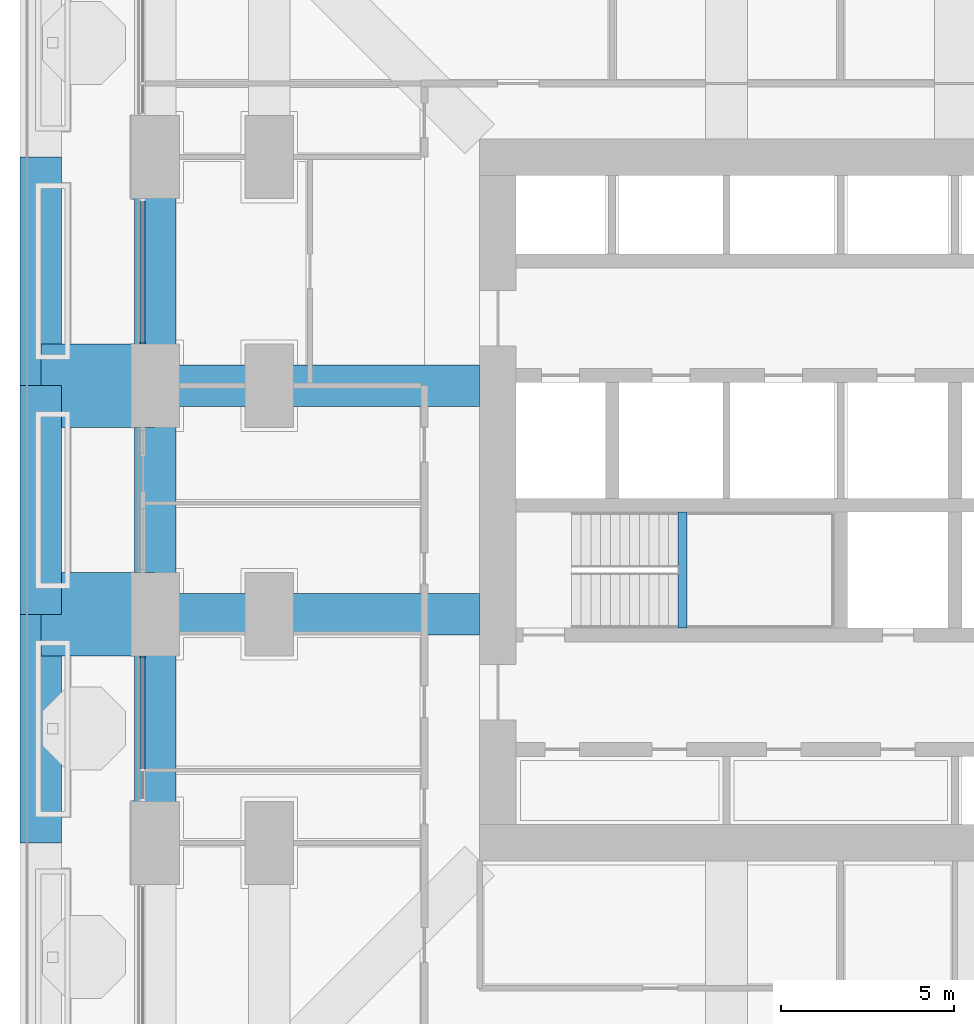
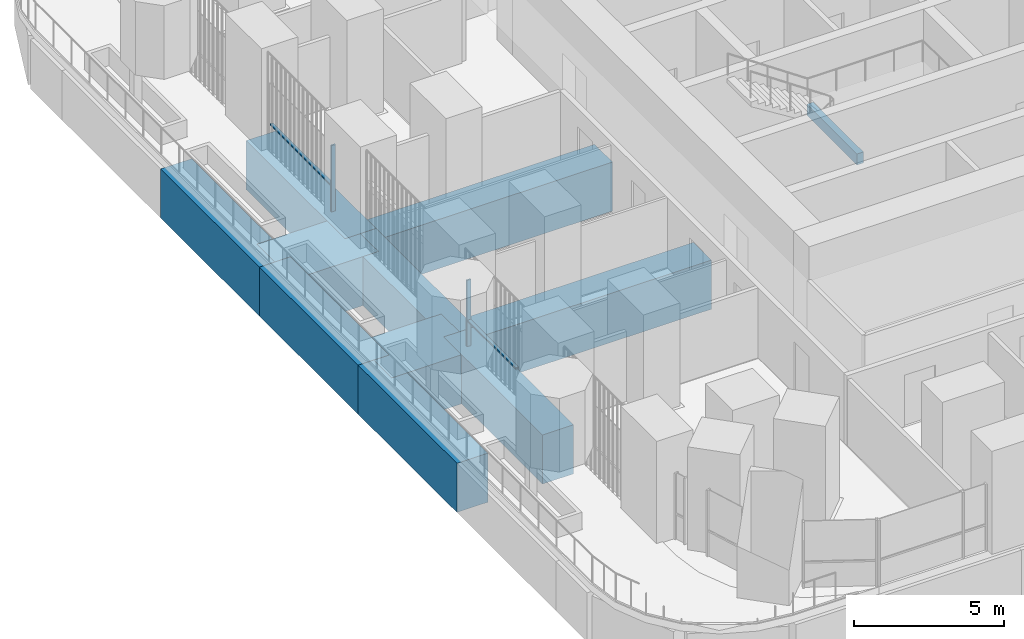
# One storey, part 4 of 27: 11 beams, 4 members, 2 elements without a shape of their own.
"""IFC4 building model written with IfcOpenShell, lengths in metres."""

from ifc_helpers import new_model, si_unit, direction, frame, origin, origin_2d, place, context, subcontext, project, spatial, rectangle, extrude, material, material_profile, profile_set, type_object, element, aggregate, save


model = new_model("IFC4")

# Units and contexts
model_context = context("Model", 3, precision=1e-05, world=origin(), true_north=direction((0.0, 1.0)))
body_context = subcontext(model_context, "Body", "Model", "MODEL_VIEW")
ifc_project = project(units=[si_unit("LENGTHUNIT", "METRE"), si_unit("AREAUNIT", "SQUARE_METRE"), si_unit("VOLUMEUNIT", "CUBIC_METRE"), si_unit("PLANEANGLEUNIT", "RADIAN"), si_unit("MASSUNIT", "GRAM", prefix="KILO")], contexts=[model_context])

# Site, building, storey
site_placement = place(None, origin())
site = spatial("IfcSite", under=ifc_project, at=site_placement, CompositionType="ELEMENT")
building_placement = place(site_placement, origin())
building = spatial("IfcBuilding", under=site, at=building_placement, Name="Cobogo Forest Laboratory Tower", CompositionType="ELEMENT")
storey_placement = place(building_placement, frame((0.0, 0.0, 82.199951171875)))
storey = spatial("IfcBuildingStorey", under=building, at=storey_placement, Name="L18", CompositionType="ELEMENT", Elevation=82.199951171875)

# Beam
ifc_material_1 = material(Name="Concrete HA-40 (C40/50)", Category="concrete")
ifc_material_profile_1 = material_profile(ifc_material_1, rectangle(XDim=0.25, YDim=0.449951171875, at=origin_2d()), Name="RC 250x450")
ifc_profile_set_1 = profile_set([ifc_material_profile_1], Name="Concrete HA-40 (C40/50)")
beam_type_1 = type_object("IfcBeamType", Name="LB1 landing beam 250x450", PredefinedType="BEAM", material=ifc_profile_set_1)
beam_1_placement = place(storey_placement, frame((18.530029296875, 19.39990234375, 1.675048828125), z_axis=(0.0, 1.0, 0.0), x_axis=(-1.0, 0.0, 0.0)))
element("IfcBeam", 1, at=beam_1_placement, inside=storey, type_object=beam_type_1, Name="Landing beam ST1 L18", PredefinedType="BEAM", context=body_context, shape_type="SweptSolid", body=[
    extrude(rectangle(XDim=0.25, YDim=0.449951171875, at=origin_2d()), origin(), (0.0, 0.0, 1.0), 3.35009765625),
])

# Curtain wall, member
ifc_material_2 = material(Name="Aluminium curtain wall", Category="aluminium")
curtain_wall_type = type_object("IfcCurtainWallType", Name="CW-1 unitised curtain wall, clear glazing, laboratory floors zones A and B", PredefinedType="USERDEFINED", material=ifc_material_2)
curtain_wall_1_placement = place(storey_placement, origin())
curtain_wall_1 = element("IfcCurtainWall", 2, at=curtain_wall_1_placement, inside=storey, type_object=curtain_wall_type, Name="Curtain wall 28 L18", ObjectType="UNITISED CURTAIN WALL", PredefinedType="USERDEFINED")
ifc_material_3 = material(Name="Aluminium mullion", Category="aluminium")
ifc_material_profile_2 = material_profile(ifc_material_3, rectangle(XDim=0.06005859375, YDim=0.159912109375, at=origin_2d()), Name="AL 60x160")
ifc_profile_set_2 = profile_set([ifc_material_profile_2], Name="Aluminium mullion")
member_type_1 = type_object("IfcMemberType", Name="MU-1 aluminium mullion 60x160", PredefinedType="MULLION", material=ifc_profile_set_2)
member_1_placement = place(storey_placement, frame((2.949951171875, 27.6298828125, 0.0), z_axis=(0.0, 0.0, 1.0), x_axis=(0.0, -1.0, 0.0)))
member_1 = element("IfcMember", 3, at=member_1_placement, type_object=member_type_1, Name="CW-1 mullion 2", PredefinedType="MULLION", context=body_context, shape_type="SweptSolid", body=[
    extrude(rectangle(XDim=0.06005859375, YDim=0.159912109375, at=origin_2d()), origin(), (0.0, 0.0, 1.0), 2.699951171875),
])

curtain_wall_2_placement = place(storey_placement, origin())
curtain_wall_2 = element("IfcCurtainWall", 4, at=curtain_wall_2_placement, inside=storey, type_object=curtain_wall_type, Name="Curtain wall 30 L18", ObjectType="UNITISED CURTAIN WALL", PredefinedType="USERDEFINED")
member_2_placement = place(storey_placement, frame((2.949951171875, 18.570068359375, 0.0), z_axis=(0.0, 0.0, 1.0), x_axis=(0.0, -1.0, 0.0)))
member_2 = element("IfcMember", 5, at=member_2_placement, type_object=member_type_1, Name="CW-1 mullion 1", PredefinedType="MULLION", context=body_context, shape_type="SweptSolid", body=[
    extrude(rectangle(XDim=0.06005859375, YDim=0.159912109375, at=origin_2d()), origin(), (0.0, 0.0, 1.0), 2.699951171875),
])

# Beams
ifc_material_4 = material(Name="Concrete HA-50 (C50/60)", Category="concrete")
ifc_material_profile_3 = material_profile(ifc_material_4, rectangle(XDim=2.39990234375, YDim=2.0, at=origin_2d()), Name="RC 2400x2000")
ifc_profile_set_3 = profile_set([ifc_material_profile_3], Name="Concrete HA-50 (C50/60)")
beam_type_2 = type_object("IfcBeamType", Name="Setback floor end-bay girder 2400x2000", PredefinedType="BEAM", material=ifc_profile_set_3)
for number, where, z_axis, x_axis, name in (
    (6, (0.0, 19.800048828125, -1.300048828125), (1.0, 0.0, 0.0), (0.0, 1.0, 0.0), "TG3 R-D-W-X L18"),
    (7, (0.0, 26.39990234375, -1.300048828125), (1.0, 0.0, 0.0), (0.0, 1.0, 0.0), "TG3 R-E-W-X L18"),
):
    element("IfcBeam", number, at=place(storey_placement, frame(where, z_axis=z_axis, x_axis=x_axis)), inside=storey, type_object=beam_type_2, Name=name, PredefinedType="BEAM", context=body_context, shape_type="SweptSolid", body=[
        extrude(rectangle(XDim=2.39990234375, YDim=2.0, at=origin_2d()), origin(), (0.0, 0.0, 1.0), 3.300048828125),
    ])
ifc_material_profile_4 = material_profile(ifc_material_1, rectangle(XDim=1.199951171875, YDim=2.0, at=origin_2d()), Name="RC 1200x2000")
ifc_profile_set_4 = profile_set([ifc_material_profile_4], Name="Concrete HA-40 (C40/50)")
beam_type_3 = type_object("IfcBeamType", Name="Setback floor girder 1200x2000", PredefinedType="BEAM", material=ifc_profile_set_4)
for number, where, z_axis, x_axis, name in (
    (8, (12.675048828125, 19.800048828125, -1.300048828125), (-1.0, 0.0, 0.0), (0.0, -1.0, 0.0), "TG2 R-D-W L18"),
    (9, (12.675048828125, 26.39990234375, -1.300048828125), (-1.0, 0.0, 0.0), (0.0, -1.0, 0.0), "TG2 R-E-W L18"),
):
    element("IfcBeam", number, at=place(storey_placement, frame(where, z_axis=z_axis, x_axis=x_axis)), inside=storey, type_object=beam_type_3, Name=name, PredefinedType="BEAM", context=body_context, shape_type="SweptSolid", body=[
        extrude(rectangle(XDim=1.199951171875, YDim=2.0, at=origin_2d()), origin(), (0.0, 0.0, 1.0), 9.375),
    ])
beam_2_placement = place(storey_placement, frame((0.0, 13.199951171875, -1.300048828125), z_axis=(0.0, 1.0, 0.0), x_axis=(-1.0, 0.0, 0.0)))
element("IfcBeam", 10, at=beam_2_placement, inside=storey, type_object=beam_type_3, Name="TG2 E-W2 L18", PredefinedType="BEAM", context=body_context, shape_type="SweptSolid", body=[
    extrude(rectangle(XDim=1.199951171875, YDim=2.0, at=origin_2d()), origin(), (0.0, 0.0, 1.0), 6.60009765625),
])
beam_3_placement = place(storey_placement, frame((0.0, 19.800048828125, -1.300048828125), z_axis=(0.0, 1.0, 0.0), x_axis=(-1.0, 0.0, 0.0)))
element("IfcBeam", 11, at=beam_3_placement, inside=storey, type_object=beam_type_3, Name="TG2 E-W3 L18", PredefinedType="BEAM", context=body_context, shape_type="SweptSolid", body=[
    extrude(rectangle(XDim=1.199951171875, YDim=2.0, at=origin_2d()), origin(), (0.0, 0.0, 1.0), 6.599853515625),
])
for number, where, z_axis, x_axis, name in (
    (12, (0.0, 26.39990234375, -1.300048828125), (0.0, 1.0, 0.0), (-1.0, 0.0, 0.0), "TG2 E-W4 L18"),
    (13, (3.300048828125, 13.199951171875, -1.300048828125), (0.0, 1.0, 0.0), (-1.0, 0.0, 0.0), "TG2 UE-W2 L18"),
):
    element("IfcBeam", number, at=place(storey_placement, frame(where, z_axis=z_axis, x_axis=x_axis)), inside=storey, type_object=beam_type_3, Name=name, PredefinedType="BEAM", context=body_context, shape_type="SweptSolid", body=[
        extrude(rectangle(XDim=1.199951171875, YDim=2.0, at=origin_2d()), origin(), (0.0, 0.0, 1.0), 6.60009765625),
    ])
beam_4_placement = place(storey_placement, frame((3.300048828125, 19.800048828125, -1.300048828125), z_axis=(0.0, 1.0, 0.0), x_axis=(-1.0, 0.0, 0.0)))
element("IfcBeam", 14, at=beam_4_placement, inside=storey, type_object=beam_type_3, Name="TG2 UE-W3 L18", PredefinedType="BEAM", context=body_context, shape_type="SweptSolid", body=[
    extrude(rectangle(XDim=1.199951171875, YDim=2.0, at=origin_2d()), origin(), (0.0, 0.0, 1.0), 6.599853515625),
])
beam_5_placement = place(storey_placement, frame((3.300048828125, 26.39990234375, -1.300048828125), z_axis=(0.0, 1.0, 0.0), x_axis=(-1.0, 0.0, 0.0)))
element("IfcBeam", 15, at=beam_5_placement, inside=storey, type_object=beam_type_3, Name="TG2 UE-W4 L18", PredefinedType="BEAM", context=body_context, shape_type="SweptSolid", body=[
    extrude(rectangle(XDim=1.199951171875, YDim=2.0, at=origin_2d()), origin(), (0.0, 0.0, 1.0), 6.60009765625),
])

# Member
ifc_material_5 = material(Name="Aluminium transom", Category="aluminium")
ifc_material_profile_5 = material_profile(ifc_material_5, rectangle(XDim=0.1201171875, YDim=0.06005859375, at=origin_2d()), Name="AL 60x120")
ifc_profile_set_5 = profile_set([ifc_material_profile_5], Name="Aluminium transom")
member_type_2 = type_object("IfcMemberType", Name="TR-1 aluminium transom 60x120", PredefinedType="USERDEFINED", material=ifc_profile_set_5)
member_3_placement = place(storey_placement, frame((2.949951171875, 31.739990234375, 1.050048828125), z_axis=(0.0, -1.0, 0.0), x_axis=(1.0, 0.0, 0.0)))
member_3 = element("IfcMember", 16, at=member_3_placement, type_object=member_type_2, Name="CW-1 transom 1.1", ObjectType="TRANSOM", PredefinedType="USERDEFINED", context=body_context, shape_type="SweptSolid", body=[
    extrude(rectangle(XDim=0.1201171875, YDim=0.06005859375, at=origin_2d()), origin(), (0.0, 0.0, 1.0), 4.080078125),
])

aggregate(curtain_wall_1, [member_1, member_3])

member_4_placement = place(storey_placement, frame((2.949951171875, 18.5400390625, 1.050048828125), z_axis=(0.0, -1.0, 0.0), x_axis=(1.0, 0.0, 0.0)))
member_4 = element("IfcMember", 17, at=member_4_placement, type_object=member_type_2, Name="CW-1 transom 1.1", ObjectType="TRANSOM", PredefinedType="USERDEFINED", context=body_context, shape_type="SweptSolid", body=[
    extrude(rectangle(XDim=0.1201171875, YDim=0.06005859375, at=origin_2d()), origin(), (0.0, 0.0, 1.0), 3.2099609375),
])

aggregate(curtain_wall_2, [member_2, member_4])

save(model, "model.ifc")
